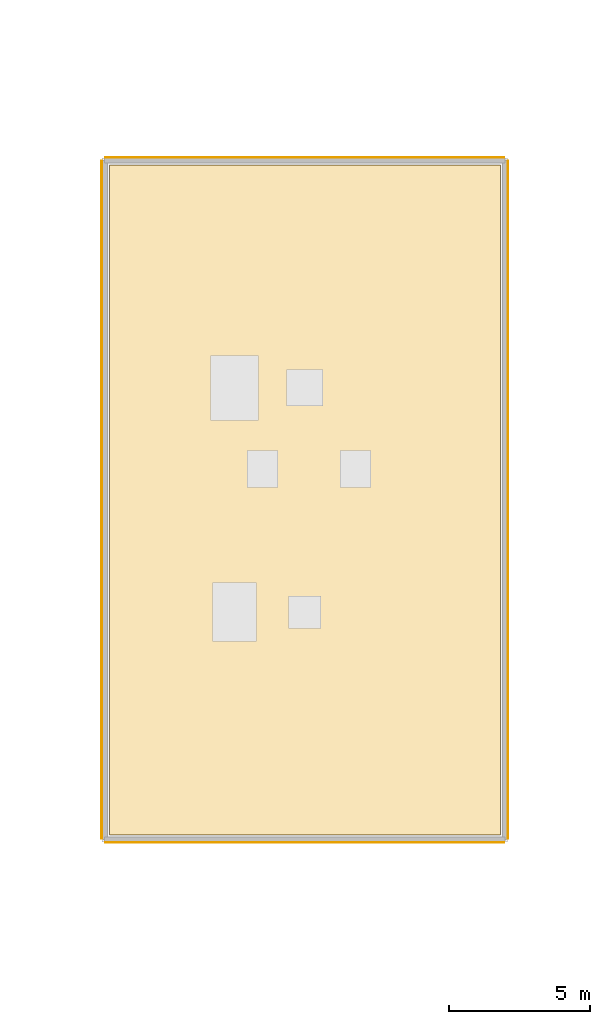
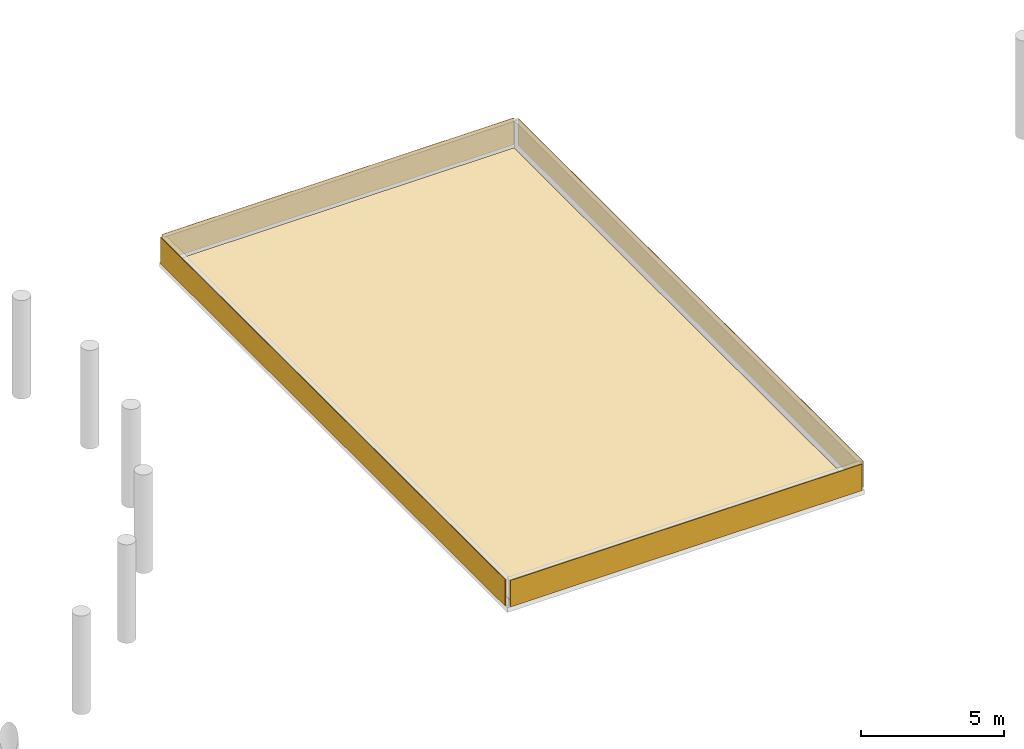
# One storey, part 41 of 41: 5 coverings.
"""IFC4 building model written with IfcOpenShell, lengths in metres."""

from ifc_helpers import new_model, si_unit, direction, frame, origin, origin_2d, place, context, subcontext, project, spatial, polyline, rectangle, outline, extrude, material, layer, layer_set, type_object, element, save


model = new_model("IFC4")

# Units and contexts
model_context = context("Model", 3, precision=1e-05, world=origin(), true_north=direction((0.0, 1.0)))
body_context = subcontext(model_context, "Body", "Model", "MODEL_VIEW")
ifc_project = project(units=[si_unit("LENGTHUNIT", "METRE"), si_unit("AREAUNIT", "SQUARE_METRE"), si_unit("VOLUMEUNIT", "CUBIC_METRE"), si_unit("PLANEANGLEUNIT", "RADIAN"), si_unit("MASSUNIT", "GRAM", prefix="KILO")], contexts=[model_context])

# Site, building, storey
site_placement = place(None, origin())
site = spatial("IfcSite", under=ifc_project, at=site_placement, CompositionType="ELEMENT")
building_placement = place(site_placement, origin())
building = spatial("IfcBuilding", under=site, at=building_placement, Name="Namkhue Oval Health Centre", CompositionType="ELEMENT")
storey_placement = place(building_placement, frame((0.0, 0.0, 13.800048828125)))
storey = spatial("IfcBuildingStorey", under=building, at=storey_placement, Name="L03", CompositionType="ELEMENT", Elevation=13.800048828125)

# Coverings
ifc_material_1 = material(Name="Standing-seam aluminium-zinc insulated roofing", Category="aluminium")
ifc_layer_1 = layer(ifc_material_1, 0.044921875)
ifc_layer_set_1 = layer_set([ifc_layer_1], Name="Standing-seam aluminium-zinc insulated roofing")
covering_type_1 = type_object("IfcCoveringType", Name="STANDING SEAM ROOFING 45", PredefinedType="ROOFING", material=ifc_layer_set_1)
covering_1_placement = place(storey_placement, frame((0.0, 0.0, 0.244873046875)))
element("IfcCovering", 1, at=covering_1_placement, inside=storey, type_object=covering_type_1, Name="Volume V6 L03 Standing Seam Roofing 1", PredefinedType="ROOFING", context=body_context, shape_type="SweptSolid", body=[
    extrude(outline(polyline([(137.06005859375, 43.4599609375), (137.06005859375, 67.239990234375), (150.93994140625, 67.239990234375), (150.93994140625, 43.4599609375), (137.06005859375, 43.4599609375)])), origin(), (0.0, 0.0, 1.0), 0.045166015625),
])
ifc_material_2 = material(Name="White glass-fibre reinforced concrete GRC rainscreen cladding", Category="concrete")
ifc_layer_2 = layer(ifc_material_2, 0.02490234375)
ifc_layer_set_2 = layer_set([ifc_layer_2], Name="White glass-fibre reinforced concrete GRC rainscreen cladding")
covering_type_2 = type_object("IfcCoveringType", Name="WHITE GRC RAINSCREEN CLADDING 25", PredefinedType="CLADDING", material=ifc_layer_set_2)
covering_2_placement = place(storey_placement, frame((136.7880859375, 55.35009765625, 0.215087890625), z_axis=(0.0, 0.0, 1.0), x_axis=(0.0, 1.0, 0.0)))
element("IfcCovering", 2, at=covering_2_placement, inside=storey, type_object=covering_type_2, Name="Volume V6 L03 Parapet 1 White GRC Cladding 1", PredefinedType="CLADDING", context=body_context, shape_type="SweptSolid", body=[
    extrude(rectangle(XDim=24.074951171875, YDim=0.02490234375, at=origin_2d()), origin(), (0.0, 0.0, 1.0), 1.1298828125),
])
covering_3_placement = place(storey_placement, frame((144.0, 67.511962890625, 0.215087890625), z_axis=(0.0, 0.0, 1.0), x_axis=(1.0, 0.0, 0.0)))
element("IfcCovering", 3, at=covering_3_placement, inside=storey, type_object=covering_type_2, Name="Volume V6 L03 Parapet 2 White GRC Cladding 1", PredefinedType="CLADDING", context=body_context, shape_type="SweptSolid", body=[
    extrude(rectangle(XDim=14.175048828125, YDim=0.02490234375, at=origin_2d()), origin(), (0.0, 0.0, 1.0), 1.1298828125),
])
covering_4_placement = place(storey_placement, frame((151.2119140625, 55.35009765625, 0.215087890625), z_axis=(0.0, 0.0, 1.0), x_axis=(0.0, -1.0, 0.0)))
element("IfcCovering", 4, at=covering_4_placement, inside=storey, type_object=covering_type_2, Name="Volume V6 L03 Parapet 3 White GRC Cladding 1", PredefinedType="CLADDING", context=body_context, shape_type="SweptSolid", body=[
    extrude(rectangle(XDim=24.074951171875, YDim=0.02490234375, at=origin_2d()), origin(), (0.0, 0.0, 1.0), 1.1298828125),
])
covering_5_placement = place(storey_placement, frame((144.0, 43.18798828125, 0.215087890625), z_axis=(0.0, 0.0, 1.0), x_axis=(-1.0, 0.0, 0.0)))
element("IfcCovering", 5, at=covering_5_placement, inside=storey, type_object=covering_type_2, Name="Volume V6 L03 Parapet 4 White GRC Cladding 1", PredefinedType="CLADDING", context=body_context, shape_type="SweptSolid", body=[
    extrude(rectangle(XDim=14.175048828125, YDim=0.02490234375, at=origin_2d()), origin(), (0.0, 0.0, 1.0), 1.1298828125),
])

save(model, "model.ifc")
